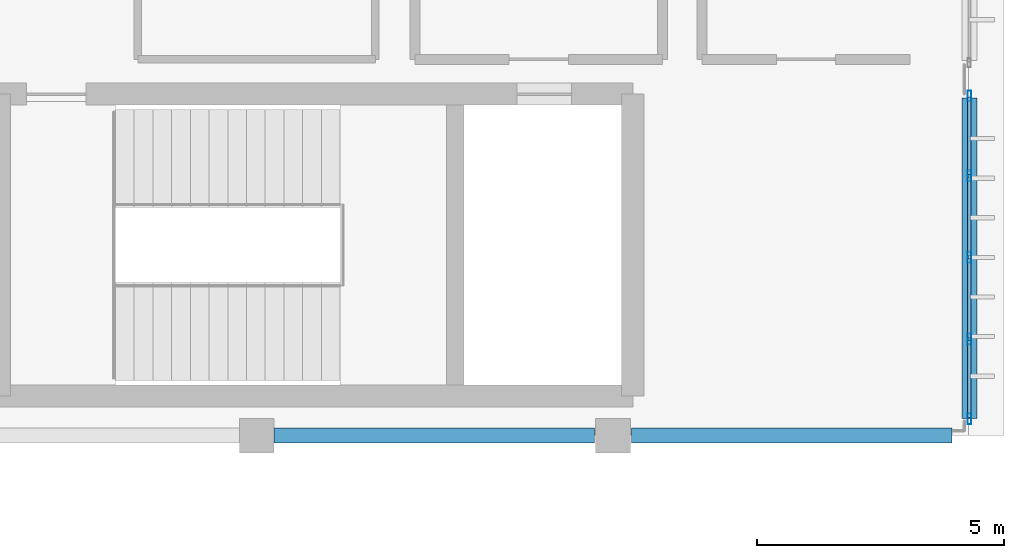
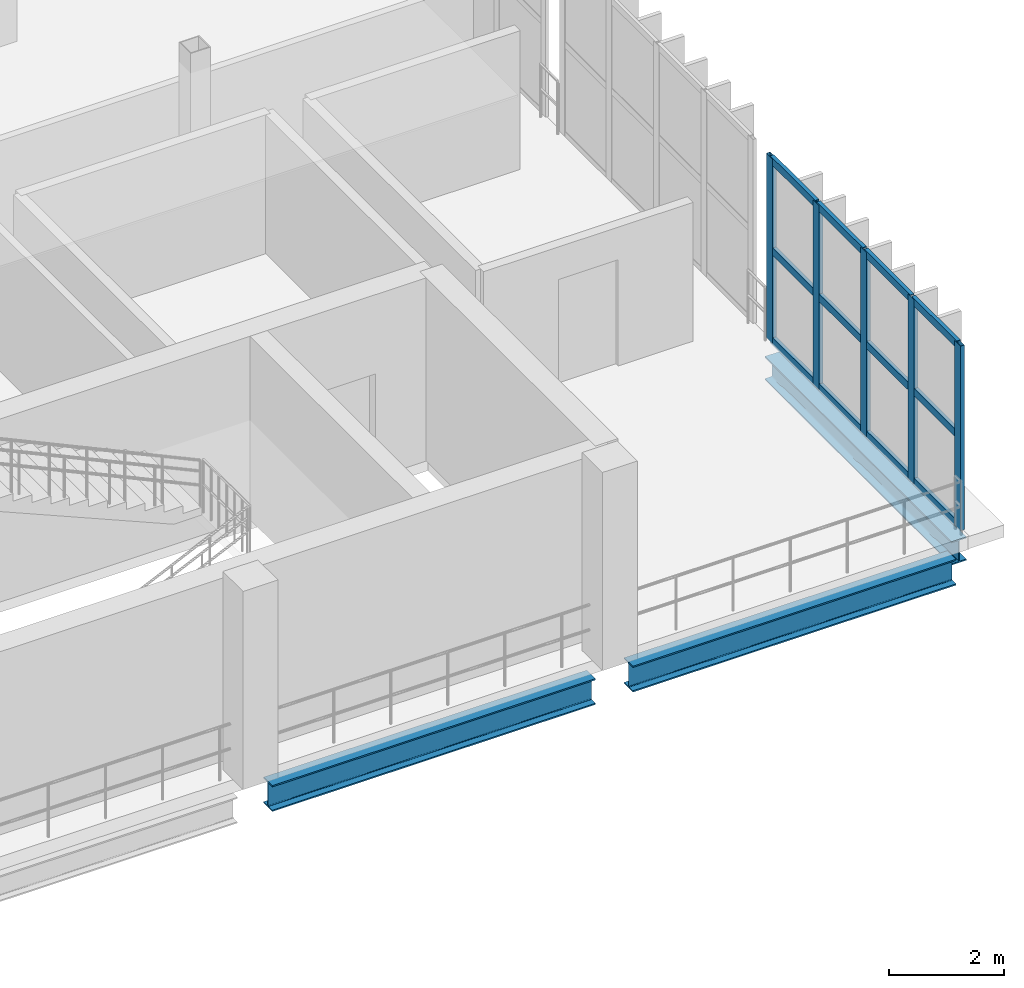
# One storey, part 71 of 130: 17 members, 3 beams, 1 element without a shape of its own.
"""IFC4 building model written with IfcOpenShell, lengths in metres."""

from ifc_helpers import new_model, si_unit, direction, frame, origin, origin_2d, place, context, subcontext, project, spatial, hollow_rectangle, i_section, extrude, material, material_profile, profile_set, type_object, element, aggregate, save


model = new_model("IFC4")

# Units and contexts
model_context = context("Model", 3, precision=1e-05, world=origin(), true_north=direction((0.0, 1.0)))
body_context = subcontext(model_context, "Body", "Model", "MODEL_VIEW")
ifc_project = project(units=[si_unit("LENGTHUNIT", "METRE"), si_unit("AREAUNIT", "SQUARE_METRE"), si_unit("VOLUMEUNIT", "CUBIC_METRE"), si_unit("PLANEANGLEUNIT", "RADIAN"), si_unit("MASSUNIT", "GRAM", prefix="KILO")], contexts=[model_context])

# Site, building, storey
site_placement = place(None, origin())
site = spatial("IfcSite", under=ifc_project, at=site_placement, CompositionType="ELEMENT")
building_placement = place(site_placement, origin())
building = spatial("IfcBuilding", under=site, at=building_placement, Name="Qandorah Velis Arena", CompositionType="ELEMENT")
storey_placement = place(building_placement, frame((0.0, 0.0, 9.60009765625)))
storey = spatial("IfcBuildingStorey", under=building, at=storey_placement, Name="L02", CompositionType="ELEMENT", Elevation=9.60009765625)

# Curtain wall, members
ifc_material_1 = material(Name="Solar-control low-E double glazing", Category="glass")
curtain_wall_type = type_object("IfcCurtainWallType", Name="ARC-CW-SYS01", PredefinedType="USERDEFINED", material=ifc_material_1)
curtain_wall_placement = place(storey_placement, origin())
curtain_wall = element("IfcCurtainWall", 1, at=curtain_wall_placement, inside=storey, type_object=curtain_wall_type, Name="Unitised curtain wall L02-145", ObjectType="UNITISED CURTAIN WALL", PredefinedType="USERDEFINED")
ifc_material_2 = material(Name="Champagne-bronze anodized aluminium 6063-T6", Category="aluminium")
ifc_material_profile_1 = material_profile(ifc_material_2, hollow_rectangle(XDim=0.074951171875, YDim=0.219970703125, WallThickness=0.00390625, at=origin_2d()), Name="ALU MULLION 75x220")
ifc_profile_set_1 = profile_set([ifc_material_profile_1], Name="Champagne-bronze anodized aluminium 6063-T6")
member_type_1 = type_object("IfcMemberType", Name="ARC-CWM-220", PredefinedType="MULLION", material=ifc_profile_set_1)
member_1_placement = place(storey_placement, frame((172.800048828125, 43.53759765625, -0.01513671875), z_axis=(0.0, 0.0, 1.0), x_axis=(-1.0, 0.0, 0.0)))
member_1 = element("IfcMember", 2, at=member_1_placement, type_object=member_type_1, Name="CW01 mullion 1", PredefinedType="MULLION", context=body_context, shape_type="SweptSolid", body=[
    extrude(hollow_rectangle(XDim=0.074951171875, YDim=0.219970703125, WallThickness=0.00390625, at=origin_2d()), origin(), (0.0, 0.0, 1.0), 3.91015625),
])
member_2_placement = place(storey_placement, frame((172.800048828125, 45.14990234375, -0.01513671875), z_axis=(0.0, 0.0, 1.0), x_axis=(-1.0, 0.0, 0.0)))
member_2 = element("IfcMember", 3, at=member_2_placement, type_object=member_type_1, Name="CW01 mullion 2", PredefinedType="MULLION", context=body_context, shape_type="SweptSolid", body=[
    extrude(hollow_rectangle(XDim=0.074951171875, YDim=0.219970703125, WallThickness=0.00390625, at=origin_2d()), origin(), (0.0, 0.0, 1.0), 3.91015625),
])
member_3_placement = place(storey_placement, frame((172.800048828125, 46.800048828125, -0.01513671875), z_axis=(0.0, 0.0, 1.0), x_axis=(-1.0, 0.0, 0.0)))
member_3 = element("IfcMember", 4, at=member_3_placement, type_object=member_type_1, Name="CW01 mullion 3", PredefinedType="MULLION", context=body_context, shape_type="SweptSolid", body=[
    extrude(hollow_rectangle(XDim=0.074951171875, YDim=0.219970703125, WallThickness=0.00390625, at=origin_2d()), origin(), (0.0, 0.0, 1.0), 3.91015625),
])
member_4_placement = place(storey_placement, frame((172.800048828125, 48.449951171875, -0.01513671875), z_axis=(0.0, 0.0, 1.0), x_axis=(-1.0, 0.0, 0.0)))
member_4 = element("IfcMember", 5, at=member_4_placement, type_object=member_type_1, Name="CW01 mullion 4", PredefinedType="MULLION", context=body_context, shape_type="SweptSolid", body=[
    extrude(hollow_rectangle(XDim=0.074951171875, YDim=0.219970703125, WallThickness=0.00390625, at=origin_2d()), origin(), (0.0, 0.0, 1.0), 3.91015625),
])
member_5_placement = place(storey_placement, frame((172.800048828125, 50.0625, -0.01513671875), z_axis=(0.0, 0.0, 1.0), x_axis=(-1.0, 0.0, 0.0)))
member_5 = element("IfcMember", 6, at=member_5_placement, type_object=member_type_1, Name="CW01 mullion 5", PredefinedType="MULLION", context=body_context, shape_type="SweptSolid", body=[
    extrude(hollow_rectangle(XDim=0.074951171875, YDim=0.219970703125, WallThickness=0.00390625, at=origin_2d()), origin(), (0.0, 0.0, 1.0), 3.91015625),
])
ifc_material_profile_2 = material_profile(ifc_material_2, hollow_rectangle(XDim=0.074951171875, YDim=0.159912109375, WallThickness=0.00341796875, at=origin_2d()), Name="ALU TRANSOM 75x160")
ifc_profile_set_2 = profile_set([ifc_material_profile_2], Name="Champagne-bronze anodized aluminium 6063-T6")
member_type_2 = type_object("IfcMemberType", Name="ARC-CWT-160", PredefinedType="USERDEFINED", material=ifc_profile_set_2)
member_6_placement = place(storey_placement, frame((172.800048828125, 43.56298828125, 0.037353515625), z_axis=(0.0, 1.0, 0.0), x_axis=(-1.0, 0.0, 0.0)))
member_6 = element("IfcMember", 7, at=member_6_placement, type_object=member_type_2, Name="CW01 transom 1.1", ObjectType="TRANSOM", PredefinedType="USERDEFINED", context=body_context, shape_type="SweptSolid", body=[
    extrude(hollow_rectangle(XDim=0.074951171875, YDim=0.159912109375, WallThickness=0.00341796875, at=origin_2d()), origin(), (0.0, 0.0, 1.0), 1.5615234375),
])
member_7_placement = place(storey_placement, frame((172.800048828125, 43.56298828125, 1.93994140625), z_axis=(0.0, 1.0, 0.0), x_axis=(-1.0, 0.0, 0.0)))
member_7 = element("IfcMember", 8, at=member_7_placement, type_object=member_type_2, Name="CW01 transom 1.2", ObjectType="TRANSOM", PredefinedType="USERDEFINED", context=body_context, shape_type="SweptSolid", body=[
    extrude(hollow_rectangle(XDim=0.074951171875, YDim=0.159912109375, WallThickness=0.00341796875, at=origin_2d()), origin(), (0.0, 0.0, 1.0), 1.5615234375),
])
member_8_placement = place(storey_placement, frame((172.800048828125, 43.56298828125, 3.84228515625), z_axis=(0.0, 1.0, 0.0), x_axis=(-1.0, 0.0, 0.0)))
member_8 = element("IfcMember", 9, at=member_8_placement, type_object=member_type_2, Name="CW01 transom 1.3", ObjectType="TRANSOM", PredefinedType="USERDEFINED", context=body_context, shape_type="SweptSolid", body=[
    extrude(hollow_rectangle(XDim=0.074951171875, YDim=0.159912109375, WallThickness=0.00341796875, at=origin_2d()), origin(), (0.0, 0.0, 1.0), 1.5615234375),
])
member_9_placement = place(storey_placement, frame((172.800048828125, 45.175537109375, 0.037353515625), z_axis=(0.0, 1.0, 0.0), x_axis=(-1.0, 0.0, 0.0)))
member_9 = element("IfcMember", 10, at=member_9_placement, type_object=member_type_2, Name="CW01 transom 2.1", ObjectType="TRANSOM", PredefinedType="USERDEFINED", context=body_context, shape_type="SweptSolid", body=[
    extrude(hollow_rectangle(XDim=0.074951171875, YDim=0.159912109375, WallThickness=0.00341796875, at=origin_2d()), origin(), (0.0, 0.0, 1.0), 1.598876953125),
])
member_10_placement = place(storey_placement, frame((172.800048828125, 45.175537109375, 1.93994140625), z_axis=(0.0, 1.0, 0.0), x_axis=(-1.0, 0.0, 0.0)))
member_10 = element("IfcMember", 11, at=member_10_placement, type_object=member_type_2, Name="CW01 transom 2.2", ObjectType="TRANSOM", PredefinedType="USERDEFINED", context=body_context, shape_type="SweptSolid", body=[
    extrude(hollow_rectangle(XDim=0.074951171875, YDim=0.159912109375, WallThickness=0.00341796875, at=origin_2d()), origin(), (0.0, 0.0, 1.0), 1.598876953125),
])
member_11_placement = place(storey_placement, frame((172.800048828125, 45.175537109375, 3.84228515625), z_axis=(0.0, 1.0, 0.0), x_axis=(-1.0, 0.0, 0.0)))
member_11 = element("IfcMember", 12, at=member_11_placement, type_object=member_type_2, Name="CW01 transom 2.3", ObjectType="TRANSOM", PredefinedType="USERDEFINED", context=body_context, shape_type="SweptSolid", body=[
    extrude(hollow_rectangle(XDim=0.074951171875, YDim=0.159912109375, WallThickness=0.00341796875, at=origin_2d()), origin(), (0.0, 0.0, 1.0), 1.598876953125),
])
member_12_placement = place(storey_placement, frame((172.800048828125, 46.825439453125, 0.037353515625), z_axis=(0.0, 1.0, 0.0), x_axis=(-1.0, 0.0, 0.0)))
member_12 = element("IfcMember", 13, at=member_12_placement, type_object=member_type_2, Name="CW01 transom 3.1", ObjectType="TRANSOM", PredefinedType="USERDEFINED", context=body_context, shape_type="SweptSolid", body=[
    extrude(hollow_rectangle(XDim=0.074951171875, YDim=0.159912109375, WallThickness=0.00341796875, at=origin_2d()), origin(), (0.0, 0.0, 1.0), 1.59912109375),
])
member_13_placement = place(storey_placement, frame((172.800048828125, 46.825439453125, 1.93994140625), z_axis=(0.0, 1.0, 0.0), x_axis=(-1.0, 0.0, 0.0)))
member_13 = element("IfcMember", 14, at=member_13_placement, type_object=member_type_2, Name="CW01 transom 3.2", ObjectType="TRANSOM", PredefinedType="USERDEFINED", context=body_context, shape_type="SweptSolid", body=[
    extrude(hollow_rectangle(XDim=0.074951171875, YDim=0.159912109375, WallThickness=0.00341796875, at=origin_2d()), origin(), (0.0, 0.0, 1.0), 1.59912109375),
])
member_14_placement = place(storey_placement, frame((172.800048828125, 46.825439453125, 3.84228515625), z_axis=(0.0, 1.0, 0.0), x_axis=(-1.0, 0.0, 0.0)))
member_14 = element("IfcMember", 15, at=member_14_placement, type_object=member_type_2, Name="CW01 transom 3.3", ObjectType="TRANSOM", PredefinedType="USERDEFINED", context=body_context, shape_type="SweptSolid", body=[
    extrude(hollow_rectangle(XDim=0.074951171875, YDim=0.159912109375, WallThickness=0.00341796875, at=origin_2d()), origin(), (0.0, 0.0, 1.0), 1.59912109375),
])
member_15_placement = place(storey_placement, frame((172.800048828125, 48.4755859375, 0.037353515625), z_axis=(0.0, 1.0, 0.0), x_axis=(-1.0, 0.0, 0.0)))
member_15 = element("IfcMember", 16, at=member_15_placement, type_object=member_type_2, Name="CW01 transom 4.1", ObjectType="TRANSOM", PredefinedType="USERDEFINED", context=body_context, shape_type="SweptSolid", body=[
    extrude(hollow_rectangle(XDim=0.074951171875, YDim=0.159912109375, WallThickness=0.00341796875, at=origin_2d()), origin(), (0.0, 0.0, 1.0), 1.5615234375),
])
member_16_placement = place(storey_placement, frame((172.800048828125, 48.4755859375, 1.93994140625), z_axis=(0.0, 1.0, 0.0), x_axis=(-1.0, 0.0, 0.0)))
member_16 = element("IfcMember", 17, at=member_16_placement, type_object=member_type_2, Name="CW01 transom 4.2", ObjectType="TRANSOM", PredefinedType="USERDEFINED", context=body_context, shape_type="SweptSolid", body=[
    extrude(hollow_rectangle(XDim=0.074951171875, YDim=0.159912109375, WallThickness=0.00341796875, at=origin_2d()), origin(), (0.0, 0.0, 1.0), 1.5615234375),
])
member_17_placement = place(storey_placement, frame((172.800048828125, 48.4755859375, 3.84228515625), z_axis=(0.0, 1.0, 0.0), x_axis=(-1.0, 0.0, 0.0)))
member_17 = element("IfcMember", 18, at=member_17_placement, type_object=member_type_2, Name="CW01 transom 4.3", ObjectType="TRANSOM", PredefinedType="USERDEFINED", context=body_context, shape_type="SweptSolid", body=[
    extrude(hollow_rectangle(XDim=0.074951171875, YDim=0.159912109375, WallThickness=0.00341796875, at=origin_2d()), origin(), (0.0, 0.0, 1.0), 1.5615234375),
])
aggregate(curtain_wall, [member_1, member_2, member_3, member_4, member_5, member_6, member_7, member_8, member_9, member_10, member_11, member_12, member_13, member_14, member_15, member_16, member_17])

# Beams
ifc_material_3 = material(Name="Steel S355", Category="steel")
ifc_material_profile_3 = material_profile(ifc_material_3, i_section(OverallWidth=0.300048828125, OverallDepth=0.5, WebThickness=0.014404296875, FlangeThickness=0.028076171875, FilletRadius=0.027099609375, at=origin_2d()), Name="HEB 500")
ifc_profile_set_3 = profile_set([ifc_material_profile_3], Name="Steel S355")
beam_type_1 = type_object("IfcBeamType", Name="STR-BM-HEB500", PredefinedType="BEAM", material=ifc_profile_set_3)
beam_1_placement = place(storey_placement, frame((172.800048828125, 43.550048828125, -0.530029296875), z_axis=(0.0, 1.0, 0.0), x_axis=(-1.0, 0.0, 0.0)))
element("IfcBeam", 19, at=beam_1_placement, inside=storey, type_object=beam_type_1, Name="Primary floor girder L02 Y-345", PredefinedType="BEAM", context=body_context, shape_type="SweptSolid", body=[
    extrude(i_section(OverallWidth=0.300048828125, OverallDepth=0.5, WebThickness=0.014404296875, FlangeThickness=0.028076171875, FilletRadius=0.027099609375, at=origin_2d()), origin(), (0.0, 0.0, 1.0), 6.474853515625),
])
ifc_material_profile_4 = material_profile(ifc_material_3, i_section(OverallWidth=0.300048828125, OverallDepth=0.550048828125, WebThickness=0.014892578125, FlangeThickness=0.029052734375, FilletRadius=0.027099609375, at=origin_2d()), Name="HEB 550")
ifc_profile_set_4 = profile_set([ifc_material_profile_4], Name="Steel S355")
beam_type_2 = type_object("IfcBeamType", Name="STR-BM-HEB550", PredefinedType="BEAM", material=ifc_profile_set_4)
beam_2_placement = place(storey_placement, frame((158.75, 43.199951171875, -0.55517578125), z_axis=(1.0, 0.0, 0.0), x_axis=(0.0, 1.0, 0.0)))
element("IfcBeam", 20, at=beam_2_placement, inside=storey, type_object=beam_type_2, Name="Primary floor girder L02 X-074", PredefinedType="BEAM", context=body_context, shape_type="SweptSolid", body=[
    extrude(i_section(OverallWidth=0.300048828125, OverallDepth=0.550048828125, WebThickness=0.014892578125, FlangeThickness=0.029052734375, FilletRadius=0.027099609375, at=origin_2d()), origin(), (0.0, 0.0, 1.0), 6.47509765625),
])
beam_3_placement = place(storey_placement, frame((165.97509765625, 43.199951171875, -0.55517578125), z_axis=(1.0, 0.0, 0.0), x_axis=(0.0, 1.0, 0.0)))
element("IfcBeam", 21, at=beam_3_placement, inside=storey, type_object=beam_type_2, Name="Primary floor girder L02 X-075", PredefinedType="BEAM", context=body_context, shape_type="SweptSolid", body=[
    extrude(i_section(OverallWidth=0.300048828125, OverallDepth=0.550048828125, WebThickness=0.014892578125, FlangeThickness=0.029052734375, FilletRadius=0.027099609375, at=origin_2d()), origin(), (0.0, 0.0, 1.0), 6.474853515625),
])

save(model, "model.ifc")
